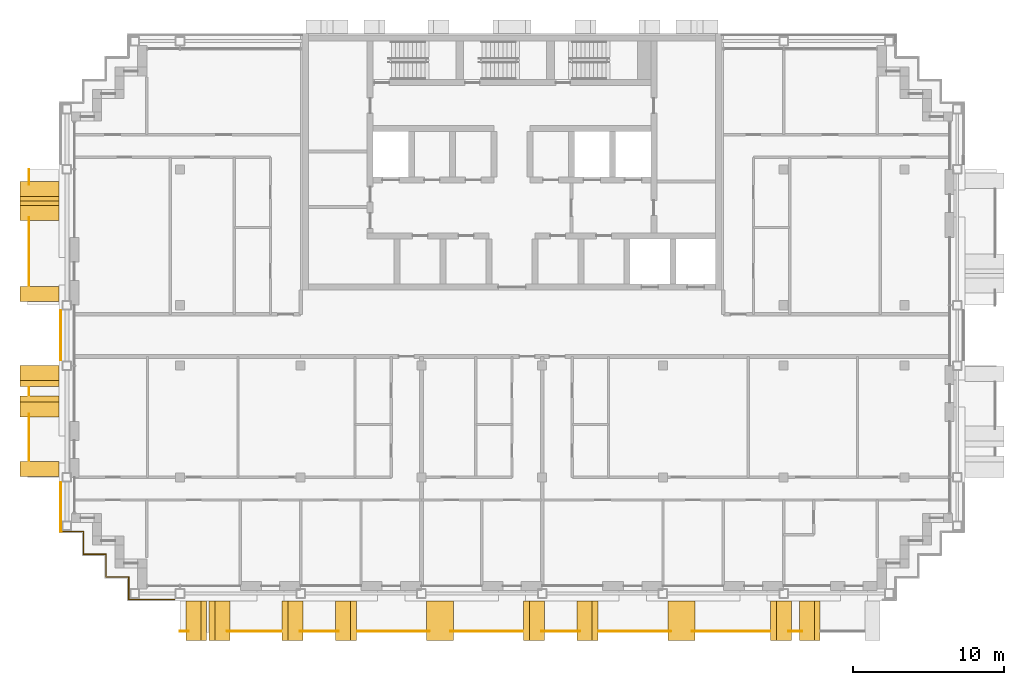
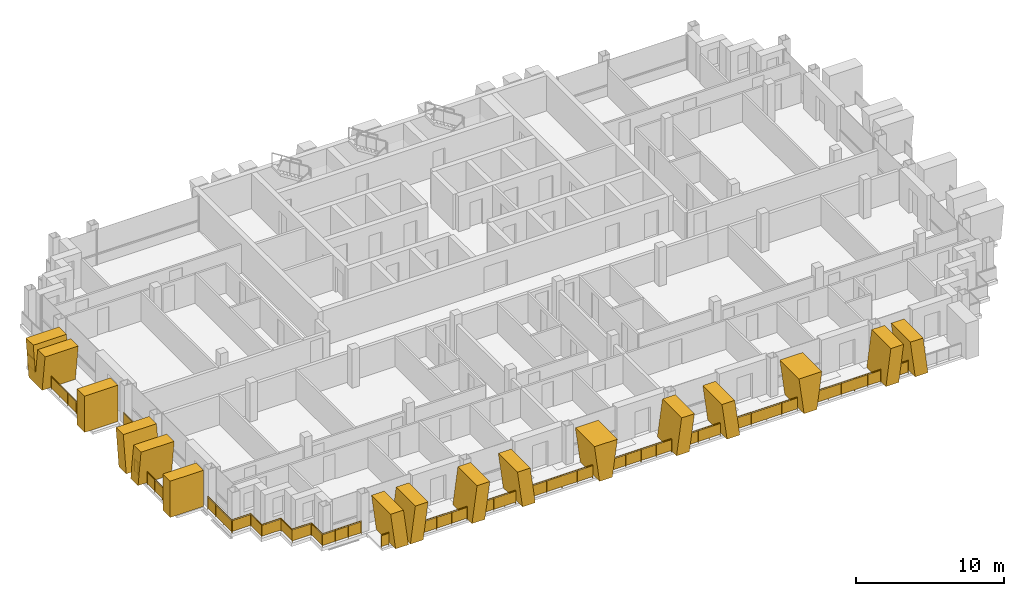
# One storey, part 13 of 16: 16 railings, 15 shading devices.
"""IFC4 building model written with IfcOpenShell, lengths in metres."""

from ifc_helpers import new_model, si_unit, direction, frame, origin, origin_2d, place, context, subcontext, project, spatial, polyline, rectangle, circle, outline, extrude, material, layer, layer_set, type_object, element, save


model = new_model("IFC4")

# Units and contexts
model_context = context("Model", 3, precision=1e-05, world=origin(), true_north=direction((0.0, 1.0)))
body_context = subcontext(model_context, "Body", "Model", "MODEL_VIEW")
ifc_project = project(units=[si_unit("LENGTHUNIT", "METRE"), si_unit("AREAUNIT", "SQUARE_METRE"), si_unit("VOLUMEUNIT", "CUBIC_METRE"), si_unit("PLANEANGLEUNIT", "RADIAN"), si_unit("MASSUNIT", "GRAM", prefix="KILO")], contexts=[model_context])

# Site, building, storey
site_placement = place(None, origin())
site = spatial("IfcSite", under=ifc_project, at=site_placement, CompositionType="ELEMENT")
building_placement = place(site_placement, origin())
building = spatial("IfcBuilding", under=site, at=building_placement, Name="Vidyagriha Tower", CompositionType="ELEMENT")
storey_placement = place(building_placement, frame((0.0, 0.0, 223.60009765625)))
storey = spatial("IfcBuildingStorey", under=building, at=storey_placement, Name="L58", CompositionType="ELEMENT", Elevation=223.60009765625)

# Railings
ifc_material_1 = material(Name="Steel ASTM A500 Grade C black painted", Category="steel")
railing_type_1 = type_object("IfcRailingType", Name="Balcony guard 1100", PredefinedType="BALUSTRADE", material=ifc_material_1)
railing_1_placement = place(storey_placement, frame((-32.0, 11.0, 0.0)))
element("IfcRailing", 1, at=railing_1_placement, inside=storey, type_object=railing_type_1, Name="Balcony guard L58 R16.1-1", PredefinedType="BALUSTRADE", context=body_context, shape_type="SweptSolid", body=[
    extrude(circle(Radius=0.02490234375, at=origin_2d()), frame((0.0, 0.0, 1.0751953125), z_axis=(0.0, -1.0, 0.0), x_axis=(1.0, 0.0, 0.0)), (0.0, 0.0, 1.0), 0.99658203125),
    extrude(circle(Radius=0.02001953125, at=origin_2d()), origin(), (0.0, 0.0, 1.0), 1.050048828125),
    extrude(circle(Radius=0.02001953125, at=origin_2d()), frame((0.0, -0.99658203125, 0.0)), (0.0, 0.0, 1.0), 1.050048828125),
    extrude(rectangle(XDim=0.010009765625, YDim=0.900146484375, at=origin_2d()), frame((0.0, 0.0, 0.550048828125), z_axis=(0.0, -1.0, 0.0), x_axis=(1.0, 0.0, 0.0)), (0.0, 0.0, 1.0), 0.99658203125),
])
railing_2_placement = place(storey_placement, frame((-32.0, 7.796630859375, 0.0)))
element("IfcRailing", 2, at=railing_2_placement, inside=storey, type_object=railing_type_1, Name="Balcony guard L58 R16.1-2", PredefinedType="BALUSTRADE", context=body_context, shape_type="SweptSolid", body=[
    extrude(circle(Radius=0.02490234375, at=origin_2d()), frame((0.0, 0.0, 1.0751953125), z_axis=(0.0, -1.0, 0.0), x_axis=(1.0, 0.0, 0.0)), (0.0, 0.0, 1.0), 4.49658203125),
    extrude(circle(Radius=0.02001953125, at=origin_2d()), origin(), (0.0, 0.0, 1.0), 1.050048828125),
    extrude(circle(Radius=0.02001953125, at=origin_2d()), frame((0.0, -1.1240234375, 0.0)), (0.0, 0.0, 1.0), 1.050048828125),
    extrude(circle(Radius=0.02001953125, at=origin_2d()), frame((0.0, -2.248291015625, 0.0)), (0.0, 0.0, 1.0), 1.050048828125),
    extrude(circle(Radius=0.02001953125, at=origin_2d()), frame((0.0, -3.37255859375, 0.0)), (0.0, 0.0, 1.0), 1.050048828125),
    extrude(circle(Radius=0.02001953125, at=origin_2d()), frame((0.0, -4.49658203125, 0.0)), (0.0, 0.0, 1.0), 1.050048828125),
    extrude(rectangle(XDim=0.010009765625, YDim=0.900146484375, at=origin_2d()), frame((0.0, 0.0, 0.550048828125), z_axis=(0.0, -1.0, 0.0), x_axis=(1.0, 0.0, 0.0)), (0.0, 0.0, 1.0), 4.49658203125),
])
railing_3_placement = place(storey_placement, frame((-32.0, -3.449951171875, 0.0)))
element("IfcRailing", 3, at=railing_3_placement, inside=storey, type_object=railing_type_1, Name="Balcony guard L58 R16.2-1", PredefinedType="BALUSTRADE", context=body_context, shape_type="SweptSolid", body=[
    extrude(circle(Radius=0.02490234375, at=origin_2d()), frame((0.0, 0.0, 1.0751953125), z_axis=(0.0, -1.0, 0.0), x_axis=(1.0, 0.0, 0.0)), (0.0, 0.0, 1.0), 0.5),
    extrude(circle(Radius=0.02001953125, at=origin_2d()), origin(), (0.0, 0.0, 1.0), 1.050048828125),
    extrude(circle(Radius=0.02001953125, at=origin_2d()), frame((0.0, -0.5, 0.0)), (0.0, 0.0, 1.0), 1.050048828125),
    extrude(rectangle(XDim=0.010009765625, YDim=0.900146484375, at=origin_2d()), frame((0.0, 0.0, 0.550048828125), z_axis=(0.0, -1.0, 0.0), x_axis=(1.0, 0.0, 0.0)), (0.0, 0.0, 1.0), 0.5),
])
railing_4_placement = place(storey_placement, frame((-32.0, -5.203369140625, 0.0)))
element("IfcRailing", 4, at=railing_4_placement, inside=storey, type_object=railing_type_1, Name="Balcony guard L58 R16.2-2", PredefinedType="BALUSTRADE", context=body_context, shape_type="SweptSolid", body=[
    extrude(circle(Radius=0.02490234375, at=origin_2d()), frame((0.0, 0.0, 1.0751953125), z_axis=(0.0, -1.0, 0.0), x_axis=(1.0, 0.0, 0.0)), (0.0, 0.0, 1.0), 3.0966796875),
    extrude(circle(Radius=0.02001953125, at=origin_2d()), origin(), (0.0, 0.0, 1.0), 1.050048828125),
    extrude(circle(Radius=0.02001953125, at=origin_2d()), frame((0.0, -1.0322265625, 0.0)), (0.0, 0.0, 1.0), 1.050048828125),
    extrude(circle(Radius=0.02001953125, at=origin_2d()), frame((0.0, -2.064453125, 0.0)), (0.0, 0.0, 1.0), 1.050048828125),
    extrude(circle(Radius=0.02001953125, at=origin_2d()), frame((0.0, -3.0966796875, 0.0)), (0.0, 0.0, 1.0), 1.050048828125),
    extrude(rectangle(XDim=0.010009765625, YDim=0.900146484375, at=origin_2d()), frame((0.0, 0.0, 0.550048828125), z_axis=(0.0, -1.0, 0.0), x_axis=(1.0, 0.0, 0.0)), (0.0, 0.0, 1.0), 3.0966796875),
])
railing_5_placement = place(storey_placement, frame((-22.0, -19.60009765625, 0.0)))
element("IfcRailing", 5, at=railing_5_placement, inside=storey, type_object=railing_type_1, Name="Balcony guard L58 R23.1-1", PredefinedType="BALUSTRADE", context=body_context, shape_type="SweptSolid", body=[
    extrude(circle(Radius=0.02490234375, at=origin_2d()), frame((0.0, 0.0, 1.0751953125), z_axis=(1.0, 0.0, 0.0), x_axis=(0.0, 1.0, 0.0)), (0.0, 0.0, 1.0), 0.573486328125),
    extrude(circle(Radius=0.02001953125, at=origin_2d()), origin(), (0.0, 0.0, 1.0), 1.050048828125),
    extrude(circle(Radius=0.02001953125, at=origin_2d()), frame((0.573486328125, 0.0, 0.0)), (0.0, 0.0, 1.0), 1.050048828125),
    extrude(rectangle(XDim=0.010009765625, YDim=0.900146484375, at=origin_2d()), frame((0.0, 0.0, 0.550048828125), z_axis=(1.0, 0.0, 0.0), x_axis=(0.0, 1.0, 0.0)), (0.0, 0.0, 1.0), 0.573486328125),
])
railing_6_placement = place(storey_placement, frame((-18.87353515625, -19.60009765625, 0.0)))
element("IfcRailing", 6, at=railing_6_placement, inside=storey, type_object=railing_type_1, Name="Balcony guard L58 R23.1-2", PredefinedType="BALUSTRADE", context=body_context, shape_type="SweptSolid", body=[
    extrude(circle(Radius=0.02490234375, at=origin_2d()), frame((0.0, 0.0, 1.0751953125), z_axis=(1.0, 0.0, 0.0), x_axis=(0.0, 1.0, 0.0)), (0.0, 0.0, 1.0), 3.573486328125),
    extrude(circle(Radius=0.02001953125, at=origin_2d()), origin(), (0.0, 0.0, 1.0), 1.050048828125),
    extrude(circle(Radius=0.02001953125, at=origin_2d()), frame((1.191162109375, 0.0, 0.0)), (0.0, 0.0, 1.0), 1.050048828125),
    extrude(circle(Radius=0.02001953125, at=origin_2d()), frame((2.38232421875, 0.0, 0.0)), (0.0, 0.0, 1.0), 1.050048828125),
    extrude(circle(Radius=0.02001953125, at=origin_2d()), frame((3.573486328125, 0.0, 0.0)), (0.0, 0.0, 1.0), 1.050048828125),
    extrude(rectangle(XDim=0.010009765625, YDim=0.900146484375, at=origin_2d()), frame((0.0, 0.0, 0.550048828125), z_axis=(1.0, 0.0, 0.0), x_axis=(0.0, 1.0, 0.0)), (0.0, 0.0, 1.0), 3.573486328125),
])
railing_7_placement = place(storey_placement, frame((-14.048583984375, -19.60009765625, 0.0)))
element("IfcRailing", 7, at=railing_7_placement, inside=storey, type_object=railing_type_1, Name="Balcony guard L58 R23.1-3", PredefinedType="BALUSTRADE", context=body_context, shape_type="SweptSolid", body=[
    extrude(circle(Radius=0.02490234375, at=origin_2d()), frame((0.0, 0.0, 1.0751953125), z_axis=(1.0, 0.0, 0.0), x_axis=(0.0, 1.0, 0.0)), (0.0, 0.0, 1.0), 2.547119140625),
    extrude(circle(Radius=0.02001953125, at=origin_2d()), origin(), (0.0, 0.0, 1.0), 1.050048828125),
    extrude(circle(Radius=0.02001953125, at=origin_2d()), frame((0.84912109375, 0.0, 0.0)), (0.0, 0.0, 1.0), 1.050048828125),
    extrude(circle(Radius=0.02001953125, at=origin_2d()), frame((1.697998046875, 0.0, 0.0)), (0.0, 0.0, 1.0), 1.050048828125),
    extrude(circle(Radius=0.02001953125, at=origin_2d()), frame((2.547119140625, 0.0, 0.0)), (0.0, 0.0, 1.0), 1.050048828125),
    extrude(rectangle(XDim=0.010009765625, YDim=0.900146484375, at=origin_2d()), frame((0.0, 0.0, 0.550048828125), z_axis=(1.0, 0.0, 0.0), x_axis=(0.0, 1.0, 0.0)), (0.0, 0.0, 1.0), 2.547119140625),
])
railing_8_placement = place(storey_placement, frame((-10.25, -19.60009765625, 0.0)))
element("IfcRailing", 8, at=railing_8_placement, inside=storey, type_object=railing_type_1, Name="Balcony guard L58 R23.1-4", PredefinedType="BALUSTRADE", context=body_context, shape_type="SweptSolid", body=[
    extrude(circle(Radius=0.02490234375, at=origin_2d()), frame((0.0, 0.0, 1.0751953125), z_axis=(1.0, 0.0, 0.0), x_axis=(0.0, 1.0, 0.0)), (0.0, 0.0, 1.0), 4.773681640625),
    extrude(circle(Radius=0.02001953125, at=origin_2d()), origin(), (0.0, 0.0, 1.0), 1.050048828125),
    extrude(circle(Radius=0.02001953125, at=origin_2d()), frame((1.193359375, 0.0, 0.0)), (0.0, 0.0, 1.0), 1.050048828125),
    extrude(circle(Radius=0.02001953125, at=origin_2d()), frame((2.38671875, 0.0, 0.0)), (0.0, 0.0, 1.0), 1.050048828125),
    extrude(circle(Radius=0.02001953125, at=origin_2d()), frame((3.580322265625, 0.0, 0.0)), (0.0, 0.0, 1.0), 1.050048828125),
    extrude(circle(Radius=0.02001953125, at=origin_2d()), frame((4.773681640625, 0.0, 0.0)), (0.0, 0.0, 1.0), 1.050048828125),
    extrude(rectangle(XDim=0.010009765625, YDim=0.900146484375, at=origin_2d()), frame((0.0, 0.0, 0.550048828125), z_axis=(1.0, 0.0, 0.0), x_axis=(0.0, 1.0, 0.0)), (0.0, 0.0, 1.0), 4.773681640625),
])
railing_9_placement = place(storey_placement, frame((-4.073486328125, -19.60009765625, 0.0)))
element("IfcRailing", 9, at=railing_9_placement, inside=storey, type_object=railing_type_1, Name="Balcony guard L58 R23.1-5", PredefinedType="BALUSTRADE", context=body_context, shape_type="SweptSolid", body=[
    extrude(circle(Radius=0.02490234375, at=origin_2d()), frame((0.0, 0.0, 1.0751953125), z_axis=(1.0, 0.0, 0.0), x_axis=(0.0, 1.0, 0.0)), (0.0, 0.0, 1.0), 4.7734375),
    extrude(circle(Radius=0.02001953125, at=origin_2d()), origin(), (0.0, 0.0, 1.0), 1.050048828125),
    extrude(circle(Radius=0.02001953125, at=origin_2d()), frame((1.193359375, 0.0, 0.0)), (0.0, 0.0, 1.0), 1.050048828125),
    extrude(circle(Radius=0.02001953125, at=origin_2d()), frame((2.38671875, 0.0, 0.0)), (0.0, 0.0, 1.0), 1.050048828125),
    extrude(circle(Radius=0.02001953125, at=origin_2d()), frame((3.580078125, 0.0, 0.0)), (0.0, 0.0, 1.0), 1.050048828125),
    extrude(circle(Radius=0.02001953125, at=origin_2d()), frame((4.7734375, 0.0, 0.0)), (0.0, 0.0, 1.0), 1.050048828125),
    extrude(rectangle(XDim=0.010009765625, YDim=0.900146484375, at=origin_2d()), frame((0.0, 0.0, 0.550048828125), z_axis=(1.0, 0.0, 0.0), x_axis=(0.0, 1.0, 0.0)), (0.0, 0.0, 1.0), 4.7734375),
])
railing_10_placement = place(storey_placement, frame((1.951416015625, -19.60009765625, 0.0)))
element("IfcRailing", 10, at=railing_10_placement, inside=storey, type_object=railing_type_1, Name="Balcony guard L58 R23.1-6", PredefinedType="BALUSTRADE", context=body_context, shape_type="SweptSolid", body=[
    extrude(circle(Radius=0.02490234375, at=origin_2d()), frame((0.0, 0.0, 1.0751953125), z_axis=(1.0, 0.0, 0.0), x_axis=(0.0, 1.0, 0.0)), (0.0, 0.0, 1.0), 2.547119140625),
    extrude(circle(Radius=0.02001953125, at=origin_2d()), origin(), (0.0, 0.0, 1.0), 1.050048828125),
    extrude(circle(Radius=0.02001953125, at=origin_2d()), frame((0.84912109375, 0.0, 0.0)), (0.0, 0.0, 1.0), 1.050048828125),
    extrude(circle(Radius=0.02001953125, at=origin_2d()), frame((1.697998046875, 0.0, 0.0)), (0.0, 0.0, 1.0), 1.050048828125),
    extrude(circle(Radius=0.02001953125, at=origin_2d()), frame((2.547119140625, 0.0, 0.0)), (0.0, 0.0, 1.0), 1.050048828125),
    extrude(rectangle(XDim=0.010009765625, YDim=0.900146484375, at=origin_2d()), frame((0.0, 0.0, 0.550048828125), z_axis=(1.0, 0.0, 0.0), x_axis=(0.0, 1.0, 0.0)), (0.0, 0.0, 1.0), 2.547119140625),
])
railing_11_placement = place(storey_placement, frame((5.75, -19.60009765625, 0.0)))
element("IfcRailing", 11, at=railing_11_placement, inside=storey, type_object=railing_type_1, Name="Balcony guard L58 R23.1-7", PredefinedType="BALUSTRADE", context=body_context, shape_type="SweptSolid", body=[
    extrude(circle(Radius=0.02490234375, at=origin_2d()), frame((0.0, 0.0, 1.0751953125), z_axis=(1.0, 0.0, 0.0), x_axis=(0.0, 1.0, 0.0)), (0.0, 0.0, 1.0), 4.773681640625),
    extrude(circle(Radius=0.02001953125, at=origin_2d()), origin(), (0.0, 0.0, 1.0), 1.050048828125),
    extrude(circle(Radius=0.02001953125, at=origin_2d()), frame((1.193359375, 0.0, 0.0)), (0.0, 0.0, 1.0), 1.050048828125),
    extrude(circle(Radius=0.02001953125, at=origin_2d()), frame((2.38671875, 0.0, 0.0)), (0.0, 0.0, 1.0), 1.050048828125),
    extrude(circle(Radius=0.02001953125, at=origin_2d()), frame((3.580322265625, 0.0, 0.0)), (0.0, 0.0, 1.0), 1.050048828125),
    extrude(circle(Radius=0.02001953125, at=origin_2d()), frame((4.773681640625, 0.0, 0.0)), (0.0, 0.0, 1.0), 1.050048828125),
    extrude(rectangle(XDim=0.010009765625, YDim=0.900146484375, at=origin_2d()), frame((0.0, 0.0, 0.550048828125), z_axis=(1.0, 0.0, 0.0), x_axis=(0.0, 1.0, 0.0)), (0.0, 0.0, 1.0), 4.773681640625),
])
railing_12_placement = place(storey_placement, frame((11.926513671875, -19.60009765625, 0.0)))
element("IfcRailing", 12, at=railing_12_placement, inside=storey, type_object=railing_type_1, Name="Balcony guard L58 R23.1-8", PredefinedType="BALUSTRADE", context=body_context, shape_type="SweptSolid", body=[
    extrude(circle(Radius=0.02490234375, at=origin_2d()), frame((0.0, 0.0, 1.0751953125), z_axis=(1.0, 0.0, 0.0), x_axis=(0.0, 1.0, 0.0)), (0.0, 0.0, 1.0), 5.15478515625),
    extrude(circle(Radius=0.02001953125, at=origin_2d()), origin(), (0.0, 0.0, 1.0), 1.050048828125),
    extrude(circle(Radius=0.02001953125, at=origin_2d()), frame((1.031005859375, 0.0, 0.0)), (0.0, 0.0, 1.0), 1.050048828125),
    extrude(circle(Radius=0.02001953125, at=origin_2d()), frame((2.06201171875, 0.0, 0.0)), (0.0, 0.0, 1.0), 1.050048828125),
    extrude(circle(Radius=0.02001953125, at=origin_2d()), frame((3.0927734375, 0.0, 0.0)), (0.0, 0.0, 1.0), 1.050048828125),
    extrude(circle(Radius=0.02001953125, at=origin_2d()), frame((4.123779296875, 0.0, 0.0)), (0.0, 0.0, 1.0), 1.050048828125),
    extrude(circle(Radius=0.02001953125, at=origin_2d()), frame((5.15478515625, 0.0, 0.0)), (0.0, 0.0, 1.0), 1.050048828125),
    extrude(rectangle(XDim=0.010009765625, YDim=0.900146484375, at=origin_2d()), frame((0.0, 0.0, 0.550048828125), z_axis=(1.0, 0.0, 0.0), x_axis=(0.0, 1.0, 0.0)), (0.0, 0.0, 1.0), 5.15478515625),
])
railing_13_placement = place(storey_placement, frame((18.327392578125, -19.60009765625, 0.0)))
element("IfcRailing", 13, at=railing_13_placement, inside=storey, type_object=railing_type_1, Name="Balcony guard L58 R23.1-9", PredefinedType="BALUSTRADE", context=body_context, shape_type="SweptSolid", body=[
    extrude(circle(Radius=0.02490234375, at=origin_2d()), frame((0.0, 0.0, 1.0751953125), z_axis=(1.0, 0.0, 0.0), x_axis=(0.0, 1.0, 0.0)), (0.0, 0.0, 1.0), 0.895263671875),
    extrude(circle(Radius=0.02001953125, at=origin_2d()), origin(), (0.0, 0.0, 1.0), 1.050048828125),
    extrude(circle(Radius=0.02001953125, at=origin_2d()), frame((0.895263671875, 0.0, 0.0)), (0.0, 0.0, 1.0), 1.050048828125),
    extrude(rectangle(XDim=0.010009765625, YDim=0.900146484375, at=origin_2d()), frame((0.0, 0.0, 0.550048828125), z_axis=(1.0, 0.0, 0.0), x_axis=(0.0, 1.0, 0.0)), (0.0, 0.0, 1.0), 0.895263671875),
])

# Shading devices
ifc_material_2 = material(Name="Precast concrete C40/50 with buff brick facing", Category="concrete")
ifc_layer_1 = layer(ifc_material_2, 1.0)
ifc_layer_set_1 = layer_set([ifc_layer_1], Name="Precast concrete C40/50 with buff brick facing")
shading_device_type_1 = type_object("IfcShadingDeviceType", Name="Brick-faced blade fin arm leaning 8 degrees", PredefinedType="USERDEFINED", material=ifc_layer_set_1)
shading_device_1_placement = place(storey_placement, frame((-31.300048828125, -4.0, 0.0), z_axis=(0.0, 0.0, 1.0), x_axis=(0.0, -1.0, 0.0)))
element("IfcShadingDevice", 14, at=shading_device_1_placement, inside=storey, type_object=shading_device_type_1, Name="Leaning blade fin L58 R16.1620a", ObjectType="BLADE FIN", PredefinedType="USERDEFINED", context=body_context, shape_type="SweptSolid", body=[
    extrude(outline(polyline([(0.0, 0.0), (1.0, 0.0), (1.39990234375, 3.0), (0.39990234375, 3.0), (0.0, 0.0)])), frame((0.0, 1.300048828125, 0.0), z_axis=(0.0, -1.0, 0.0), x_axis=(1.0, 0.0, 0.0)), (0.0, 0.0, 1.0), 2.60009765625),
])
shading_device_2_placement = place(storey_placement, frame((-31.300048828125, -2.0, 0.0), z_axis=(0.0, 0.0, 1.0), x_axis=(0.0, -1.0, 0.0)))
element("IfcShadingDevice", 15, at=shading_device_2_placement, inside=storey, type_object=shading_device_type_1, Name="Leaning blade fin L58 R16.1620b", ObjectType="BLADE FIN", PredefinedType="USERDEFINED", context=body_context, shape_type="SweptSolid", body=[
    extrude(outline(polyline([(0.39990234375, 0.0), (1.39990234375, 0.0), (1.0, 3.0), (0.0, 3.0), (0.39990234375, 0.0)])), frame((0.0, 1.300048828125, 0.0), z_axis=(0.0, -1.0, 0.0), x_axis=(1.0, 0.0, 0.0)), (0.0, 0.0, 1.0), 2.60009765625),
])
shading_device_3_placement = place(storey_placement, frame((-20.0712890625, -18.89990234375, 0.0)))
element("IfcShadingDevice", 16, at=shading_device_3_placement, inside=storey, type_object=shading_device_type_1, Name="Leaning blade fin L58 R23.220a", ObjectType="BLADE FIN", PredefinedType="USERDEFINED", context=body_context, shape_type="SweptSolid", body=[
    extrude(outline(polyline([(0.0, 0.0), (1.0, 0.0), (1.3857421875, 3.0), (0.3857421875, 3.0), (0.0, 0.0)])), frame((0.0, 1.300048828125, 0.0), z_axis=(0.0, -1.0, 0.0), x_axis=(1.0, 0.0, 0.0)), (0.0, 0.0, 1.0), 2.60009765625),
])
shading_device_4_placement = place(storey_placement, frame((-21.6142578125, -18.89990234375, 0.0)))
element("IfcShadingDevice", 17, at=shading_device_4_placement, inside=storey, type_object=shading_device_type_1, Name="Leaning blade fin L58 R23.220b", ObjectType="BLADE FIN", PredefinedType="USERDEFINED", context=body_context, shape_type="SweptSolid", body=[
    extrude(outline(polyline([(0.3857421875, 0.0), (1.3857421875, 0.0), (1.0, 3.0), (0.0, 3.0), (0.3857421875, 0.0)])), frame((0.0, 1.300048828125, 0.0), z_axis=(0.0, -1.0, 0.0), x_axis=(1.0, 0.0, 0.0)), (0.0, 0.0, 1.0), 2.60009765625),
])
shading_device_5_placement = place(storey_placement, frame((-11.695068359375, -18.89990234375, 0.0)))
element("IfcShadingDevice", 18, at=shading_device_5_placement, inside=storey, type_object=shading_device_type_1, Name="Leaning blade fin L58 R23.1020a", ObjectType="BLADE FIN", PredefinedType="USERDEFINED", context=body_context, shape_type="SweptSolid", body=[
    extrude(outline(polyline([(0.39501953125, 0.0), (1.39501953125, 0.0), (1.0, 3.0), (0.0, 3.0), (0.39501953125, 0.0)])), frame((0.0, 1.300048828125, 0.0), z_axis=(0.0, -1.0, 0.0), x_axis=(1.0, 0.0, 0.0)), (0.0, 0.0, 1.0), 2.60009765625),
])
shading_device_6_placement = place(storey_placement, frame((-15.25, -18.89990234375, 0.0)))
element("IfcShadingDevice", 19, at=shading_device_6_placement, inside=storey, type_object=shading_device_type_1, Name="Leaning blade fin L58 R23.1020b", ObjectType="BLADE FIN", PredefinedType="USERDEFINED", context=body_context, shape_type="SweptSolid", body=[
    extrude(outline(polyline([(0.0, 0.0), (1.0, 0.0), (1.39501953125, 3.0), (0.39501953125, 3.0), (0.0, 0.0)])), frame((0.0, 1.300048828125, 0.0), z_axis=(0.0, -1.0, 0.0), x_axis=(1.0, 0.0, 0.0)), (0.0, 0.0, 1.0), 2.60009765625),
])
shading_device_7_placement = place(storey_placement, frame((4.304931640625, -18.89990234375, 0.0)))
element("IfcShadingDevice", 20, at=shading_device_7_placement, inside=storey, type_object=shading_device_type_1, Name="Leaning blade fin L58 R23.2620a", ObjectType="BLADE FIN", PredefinedType="USERDEFINED", context=body_context, shape_type="SweptSolid", body=[
    extrude(outline(polyline([(0.39501953125, 0.0), (1.39501953125, 0.0), (1.0, 3.0), (0.0, 3.0), (0.39501953125, 0.0)])), frame((0.0, 1.300048828125, 0.0), z_axis=(0.0, -1.0, 0.0), x_axis=(1.0, 0.0, 0.0)), (0.0, 0.0, 1.0), 2.60009765625),
])
shading_device_8_placement = place(storey_placement, frame((0.75, -18.89990234375, 0.0)))
element("IfcShadingDevice", 21, at=shading_device_8_placement, inside=storey, type_object=shading_device_type_1, Name="Leaning blade fin L58 R23.2620b", ObjectType="BLADE FIN", PredefinedType="USERDEFINED", context=body_context, shape_type="SweptSolid", body=[
    extrude(outline(polyline([(0.0, 0.0), (1.0, 0.0), (1.39501953125, 3.0), (0.39501953125, 3.0), (0.0, 0.0)])), frame((0.0, 1.300048828125, 0.0), z_axis=(0.0, -1.0, 0.0), x_axis=(1.0, 0.0, 0.0)), (0.0, 0.0, 1.0), 2.60009765625),
])
shading_device_9_placement = place(storey_placement, frame((19.03759765625, -18.89990234375, 0.0)))
element("IfcShadingDevice", 22, at=shading_device_9_placement, inside=storey, type_object=shading_device_type_1, Name="Leaning blade fin L58 R23.4220a", ObjectType="BLADE FIN", PredefinedType="USERDEFINED", context=body_context, shape_type="SweptSolid", body=[
    extrude(outline(polyline([(0.381103515625, 0.0), (1.381103515625, 0.0), (1.0, 3.0), (0.0, 3.0), (0.381103515625, 0.0)])), frame((0.0, 1.300048828125, 0.0), z_axis=(0.0, -1.0, 0.0), x_axis=(1.0, 0.0, 0.0)), (0.0, 0.0, 1.0), 2.60009765625),
])
shading_device_10_placement = place(storey_placement, frame((17.13134765625, -18.89990234375, 0.0)))
element("IfcShadingDevice", 23, at=shading_device_10_placement, inside=storey, type_object=shading_device_type_1, Name="Leaning blade fin L58 R23.4220b", ObjectType="BLADE FIN", PredefinedType="USERDEFINED", context=body_context, shape_type="SweptSolid", body=[
    extrude(outline(polyline([(0.0, 0.0), (1.0, 0.0), (1.381103515625, 3.0), (0.381103515625, 3.0), (0.0, 0.0)])), frame((0.0, 1.300048828125, 0.0), z_axis=(0.0, -1.0, 0.0), x_axis=(1.0, 0.0, 0.0)), (0.0, 0.0, 1.0), 2.60009765625),
])
ifc_material_3 = material(Name="Precast concrete C40/50 with buff brick facing", Category="concrete")
ifc_layer_2 = layer(ifc_material_3, 1.0)
ifc_layer_set_2 = layer_set([ifc_layer_2], Name="Precast concrete C40/50 with buff brick facing")
shading_device_type_2 = type_object("IfcShadingDeviceType", Name="Brick-faced blade fin forking 8 degrees", PredefinedType="USERDEFINED", material=ifc_layer_set_2)
shading_device_11_placement = place(storey_placement, frame((-31.300048828125, 10.199951171875, 0.0), z_axis=(0.0, 0.0, 1.0), x_axis=(0.0, -1.0, 0.0)))
element("IfcShadingDevice", 24, at=shading_device_11_placement, inside=storey, type_object=shading_device_type_2, Name="Forked blade fin L58 R16.320a", ObjectType="BLADE FIN", PredefinedType="USERDEFINED", context=body_context, shape_type="SweptSolid", body=[
    extrude(outline(polyline([(0.39990234375, 0.0), (2.199951171875, 0.0), (2.60009765625, 3.0), (1.60009765625, 3.0), (1.300048828125, 0.75), (1.0, 3.0), (0.0, 3.0), (0.39990234375, 0.0)])), frame((0.0, 1.300048828125, 0.0), z_axis=(0.0, -1.0, 0.0), x_axis=(1.0, 0.0, 0.0)), (0.0, 0.0, 1.0), 2.60009765625),
])
for number, where, name in (
    (25, (-5.669921875, -18.89990234375, 0.0), "Forked blade fin L58 R23.1820a"),
    (26, (10.330078125, -18.89990234375, 0.0), "Forked blade fin L58 R23.3420a"),
):
    element("IfcShadingDevice", number, at=place(storey_placement, frame(where)), inside=storey, type_object=shading_device_type_2, Name=name, ObjectType="BLADE FIN", PredefinedType="USERDEFINED", context=body_context, shape_type="SweptSolid", body=[
        extrude(outline(polyline([(0.39501953125, 0.0), (1.39501953125, 0.0), (1.7900390625, 3.0), (0.0, 3.0), (0.39501953125, 0.0)])), frame((0.0, 1.300048828125, 0.0), z_axis=(0.0, -1.0, 0.0), x_axis=(1.0, 0.0, 0.0)), (0.0, 0.0, 1.0), 2.60009765625),
    ])
ifc_material_4 = material(Name="Precast concrete C40/50 with buff brick facing", Category="concrete")
ifc_layer_3 = layer(ifc_material_4, 1.0)
ifc_layer_set_3 = layer_set([ifc_layer_3], Name="Precast concrete C40/50 with buff brick facing")
shading_device_type_3 = type_object("IfcShadingDeviceType", Name="Brick-faced blade fin stem 1000", PredefinedType="USERDEFINED", material=ifc_layer_set_3)
for number, where, z_axis, x_axis, name in (
    (27, (-31.300048828125, 3.25, 0.0), (0.0, 0.0, 1.0), (0.0, -1.0, 0.0), "Stem blade fin L58 R16.1220a"),
    (28, (-31.300048828125, -8.35009765625, 0.0), (0.0, 0.0, 1.0), (0.0, -1.0, 0.0), "Stem blade fin L58 R16.2360a"),
):
    element("IfcShadingDevice", number, at=place(storey_placement, frame(where, z_axis=z_axis, x_axis=x_axis)), inside=storey, type_object=shading_device_type_3, Name=name, ObjectType="BLADE FIN", PredefinedType="USERDEFINED", context=body_context, shape_type="SweptSolid", body=[
        extrude(outline(polyline([(0.0, 0.0), (1.0, 0.0), (1.0, 3.0), (0.0, 3.0), (0.0, 0.0)])), frame((0.0, 1.300048828125, 0.0), z_axis=(0.0, -1.0, 0.0), x_axis=(1.0, 0.0, 0.0)), (0.0, 0.0, 1.0), 2.60009765625),
    ])

# Railings
ifc_material_5 = material(Name="Steel ASTM A500 Grade C black painted", Category="steel")
railing_type_2 = type_object("IfcRailingType", Name="Gallery guard 1100", PredefinedType="GUARDRAIL", material=ifc_material_5)
railing_14_placement = place(storey_placement, frame((-22.360107421875, -17.5, 0.0)))
element("IfcRailing", 29, at=railing_14_placement, inside=storey, type_object=railing_type_2, Name="Gallery guard L58 1", PredefinedType="GUARDRAIL", context=body_context, shape_type="SweptSolid", body=[
    extrude(circle(Radius=0.02490234375, at=origin_2d()), frame((0.0, 0.0, 1.0751953125), z_axis=(-1.0, 0.0, 0.0), x_axis=(0.0, -1.0, 0.0)), (0.0, 0.0, 1.0), 3.039794921875),
    extrude(circle(Radius=0.02490234375, at=origin_2d()), frame((-3.039794921875, 0.0, 1.0751953125), z_axis=(0.0, 1.0, 0.0), x_axis=(-1.0, 0.0, 0.0)), (0.0, 0.0, 1.0), 1.5),
    extrude(circle(Radius=0.02490234375, at=origin_2d()), frame((-3.039794921875, 1.5, 1.0751953125), z_axis=(-1.0, 0.0, 0.0), x_axis=(0.0, -1.0, 0.0)), (0.0, 0.0, 1.0), 1.5),
    extrude(circle(Radius=0.02490234375, at=origin_2d()), frame((-4.539794921875, 1.5, 1.0751953125), z_axis=(0.0, 1.0, 0.0), x_axis=(-1.0, 0.0, 0.0)), (0.0, 0.0, 1.0), 1.5),
    extrude(circle(Radius=0.02490234375, at=origin_2d()), frame((-4.539794921875, 3.0, 1.0751953125), z_axis=(-1.0, 0.0, 0.0), x_axis=(0.0, -1.0, 0.0)), (0.0, 0.0, 1.0), 1.5),
    extrude(circle(Radius=0.02490234375, at=origin_2d()), frame((-6.039794921875, 3.0, 1.0751953125), z_axis=(0.0, 1.0, 0.0), x_axis=(-1.0, 0.0, 0.0)), (0.0, 0.0, 1.0), 1.5),
    extrude(circle(Radius=0.02490234375, at=origin_2d()), frame((-6.039794921875, 4.5, 1.0751953125), z_axis=(-1.0, 0.0, 0.0), x_axis=(0.0, -1.0, 0.0)), (0.0, 0.0, 1.0), 1.460205078125),
    extrude(circle(Radius=0.02001953125, at=origin_2d()), origin(), (0.0, 0.0, 1.0), 1.050048828125),
    extrude(circle(Radius=0.02001953125, at=origin_2d()), frame((-1.01318359375, 0.0, 0.0)), (0.0, 0.0, 1.0), 1.050048828125),
    extrude(circle(Radius=0.02001953125, at=origin_2d()), frame((-2.026611328125, 0.0, 0.0)), (0.0, 0.0, 1.0), 1.050048828125),
    extrude(circle(Radius=0.02001953125, at=origin_2d()), frame((-3.039794921875, 0.0, 0.0)), (0.0, 0.0, 1.0), 1.050048828125),
    extrude(circle(Radius=0.02001953125, at=origin_2d()), frame((-3.039794921875, 1.5, 0.0)), (0.0, 0.0, 1.0), 1.050048828125),
    extrude(circle(Radius=0.02001953125, at=origin_2d()), frame((-4.539794921875, 1.5, 0.0)), (0.0, 0.0, 1.0), 1.050048828125),
    extrude(circle(Radius=0.02001953125, at=origin_2d()), frame((-4.539794921875, 3.0, 0.0)), (0.0, 0.0, 1.0), 1.050048828125),
    extrude(circle(Radius=0.02001953125, at=origin_2d()), frame((-6.039794921875, 3.0, 0.0)), (0.0, 0.0, 1.0), 1.050048828125),
    extrude(circle(Radius=0.02001953125, at=origin_2d()), frame((-6.039794921875, 4.5, 0.0)), (0.0, 0.0, 1.0), 1.050048828125),
    extrude(circle(Radius=0.02001953125, at=origin_2d()), frame((-7.5, 4.5, 0.0)), (0.0, 0.0, 1.0), 1.050048828125),
    extrude(rectangle(XDim=0.010009765625, YDim=0.900146484375, at=origin_2d()), frame((0.0, 0.0, 0.550048828125), z_axis=(-1.0, 0.0, 0.0), x_axis=(0.0, -1.0, 0.0)), (0.0, 0.0, 1.0), 3.039794921875),
    extrude(rectangle(XDim=0.010009765625, YDim=0.900146484375, at=origin_2d()), frame((-3.039794921875, 0.0, 0.550048828125), z_axis=(0.0, 1.0, 0.0), x_axis=(-1.0, 0.0, 0.0)), (0.0, 0.0, 1.0), 1.5),
    extrude(rectangle(XDim=0.010009765625, YDim=0.900146484375, at=origin_2d()), frame((-3.039794921875, 1.5, 0.550048828125), z_axis=(-1.0, 0.0, 0.0), x_axis=(0.0, -1.0, 0.0)), (0.0, 0.0, 1.0), 1.5),
    extrude(rectangle(XDim=0.010009765625, YDim=0.900146484375, at=origin_2d()), frame((-4.539794921875, 1.5, 0.550048828125), z_axis=(0.0, 1.0, 0.0), x_axis=(-1.0, 0.0, 0.0)), (0.0, 0.0, 1.0), 1.5),
    extrude(rectangle(XDim=0.010009765625, YDim=0.900146484375, at=origin_2d()), frame((-4.539794921875, 3.0, 0.550048828125), z_axis=(-1.0, 0.0, 0.0), x_axis=(0.0, -1.0, 0.0)), (0.0, 0.0, 1.0), 1.5),
    extrude(rectangle(XDim=0.010009765625, YDim=0.900146484375, at=origin_2d()), frame((-6.039794921875, 3.0, 0.550048828125), z_axis=(0.0, 1.0, 0.0), x_axis=(-1.0, 0.0, 0.0)), (0.0, 0.0, 1.0), 1.5),
    extrude(rectangle(XDim=0.010009765625, YDim=0.900146484375, at=origin_2d()), frame((-6.039794921875, 4.5, 0.550048828125), z_axis=(-1.0, 0.0, 0.0), x_axis=(0.0, -1.0, 0.0)), (0.0, 0.0, 1.0), 1.460205078125),
])
railing_15_placement = place(storey_placement, frame((-29.860107421875, -13.0, 0.0)))
element("IfcRailing", 30, at=railing_15_placement, inside=storey, type_object=railing_type_2, Name="Gallery guard L58 2", PredefinedType="GUARDRAIL", context=body_context, shape_type="SweptSolid", body=[
    extrude(circle(Radius=0.02490234375, at=origin_2d()), frame((0.0, 0.0, 1.0751953125), z_axis=(-1.0, 0.0, 0.0), x_axis=(0.0, -1.0, 0.0)), (0.0, 0.0, 1.0), 0.039794921875),
    extrude(circle(Radius=0.02490234375, at=origin_2d()), frame((-0.039794921875, 0.0, 1.0751953125), z_axis=(0.0, 1.0, 0.0), x_axis=(-1.0, 0.0, 0.0)), (0.0, 0.0, 1.0), 3.239990234375),
    extrude(circle(Radius=0.02001953125, at=origin_2d()), origin(), (0.0, 0.0, 1.0), 1.050048828125),
    extrude(circle(Radius=0.02001953125, at=origin_2d()), frame((-0.039794921875, 0.0, 0.0)), (0.0, 0.0, 1.0), 1.050048828125),
    extrude(circle(Radius=0.02001953125, at=origin_2d()), frame((-0.039794921875, 1.080078125, 0.0)), (0.0, 0.0, 1.0), 1.050048828125),
    extrude(circle(Radius=0.02001953125, at=origin_2d()), frame((-0.039794921875, 2.159912109375, 0.0)), (0.0, 0.0, 1.0), 1.050048828125),
    extrude(circle(Radius=0.02001953125, at=origin_2d()), frame((-0.039794921875, 3.239990234375, 0.0)), (0.0, 0.0, 1.0), 1.050048828125),
    extrude(rectangle(XDim=0.010009765625, YDim=0.900146484375, at=origin_2d()), frame((0.0, 0.0, 0.550048828125), z_axis=(-1.0, 0.0, 0.0), x_axis=(0.0, -1.0, 0.0)), (0.0, 0.0, 1.0), 0.039794921875),
    extrude(rectangle(XDim=0.010009765625, YDim=0.900146484375, at=origin_2d()), frame((-0.039794921875, 0.0, 0.550048828125), z_axis=(0.0, 1.0, 0.0), x_axis=(-1.0, 0.0, 0.0)), (0.0, 0.0, 1.0), 3.239990234375),
])
railing_16_placement = place(storey_placement, frame((-29.89990234375, -1.639892578125, 0.0)))
element("IfcRailing", 31, at=railing_16_placement, inside=storey, type_object=railing_type_2, Name="Gallery guard L58 3", PredefinedType="GUARDRAIL", context=body_context, shape_type="SweptSolid", body=[
    extrude(circle(Radius=0.02490234375, at=origin_2d()), frame((0.0, 0.0, 1.0751953125), z_axis=(0.0, 1.0, 0.0), x_axis=(-1.0, 0.0, 0.0)), (0.0, 0.0, 1.0), 3.27978515625),
    extrude(circle(Radius=0.02001953125, at=origin_2d()), origin(), (0.0, 0.0, 1.0), 1.050048828125),
    extrude(circle(Radius=0.02001953125, at=origin_2d()), frame((0.0, 1.09326171875, 0.0)), (0.0, 0.0, 1.0), 1.050048828125),
    extrude(circle(Radius=0.02001953125, at=origin_2d()), frame((0.0, 2.1865234375, 0.0)), (0.0, 0.0, 1.0), 1.050048828125),
    extrude(circle(Radius=0.02001953125, at=origin_2d()), frame((0.0, 3.27978515625, 0.0)), (0.0, 0.0, 1.0), 1.050048828125),
    extrude(rectangle(XDim=0.010009765625, YDim=0.900146484375, at=origin_2d()), frame((0.0, 0.0, 0.550048828125), z_axis=(0.0, 1.0, 0.0), x_axis=(-1.0, 0.0, 0.0)), (0.0, 0.0, 1.0), 3.27978515625),
])

save(model, "model.ifc")
